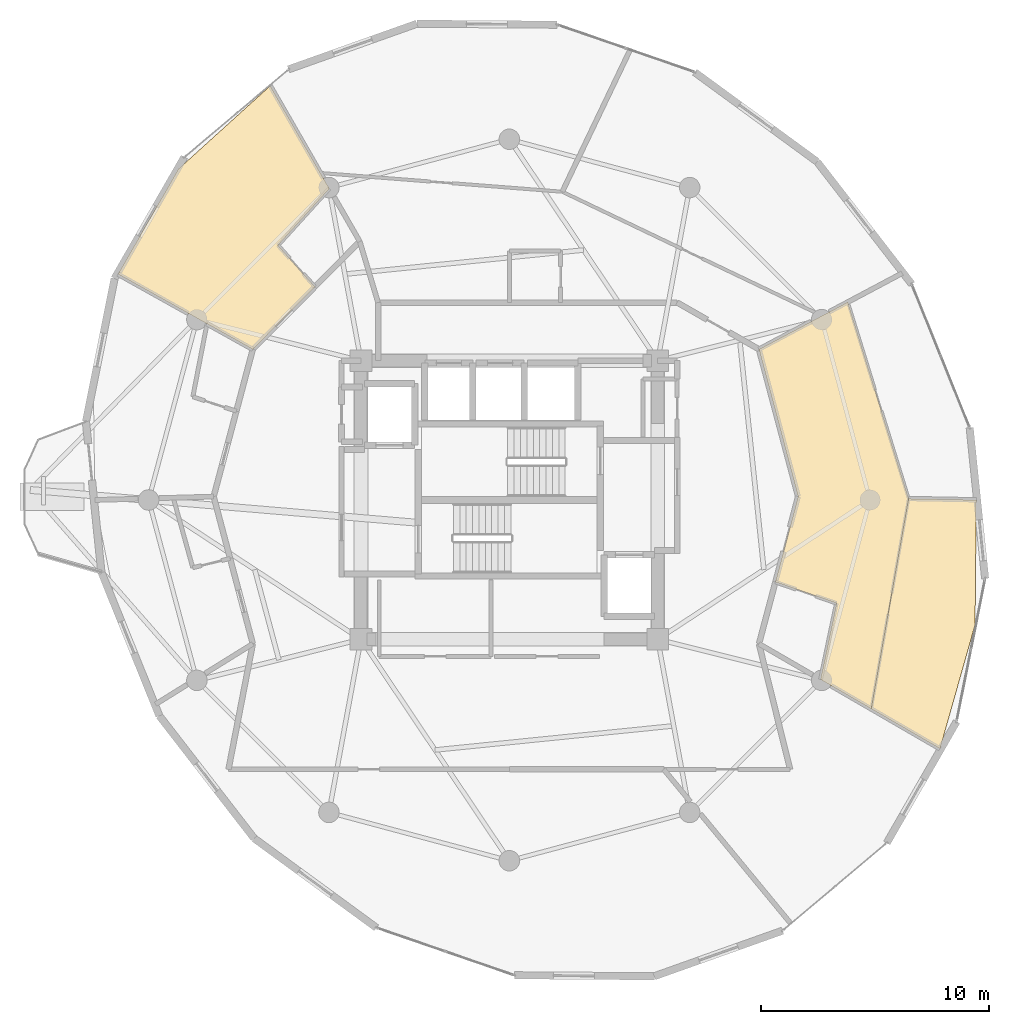
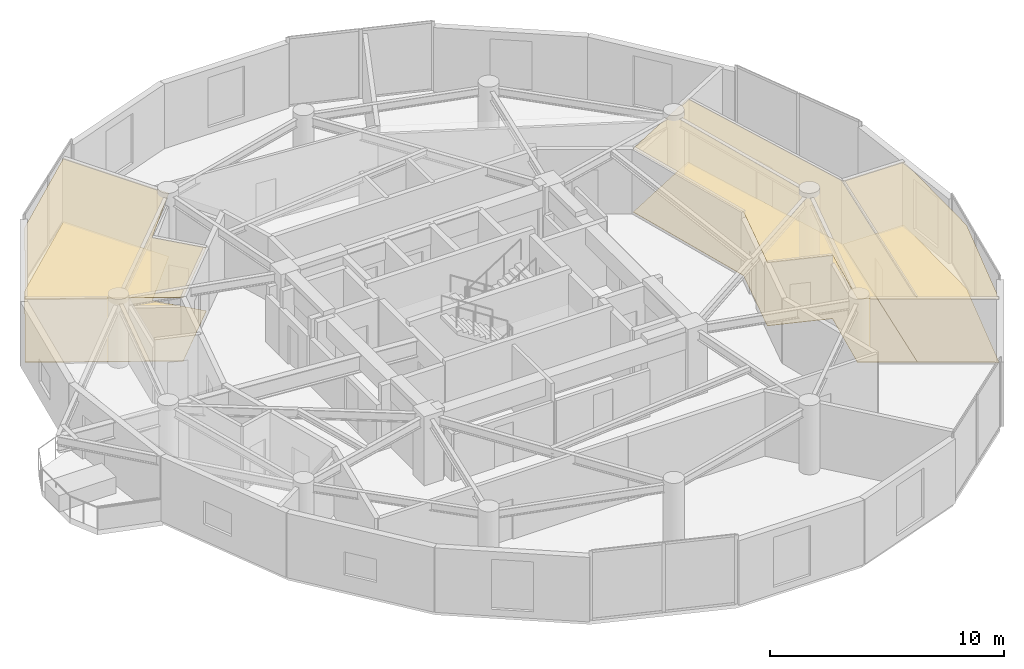
# One storey, part 17 of 17: 6 coverings.
"""IFC4 building model written with IfcOpenShell, lengths in metres."""

import ifcopenshell
import ifcopenshell.guid

model = None  # the IFC model being written
_history = None  # IfcOwnerHistory: only IFC2X3 demands one
_inside = {}  # id of a spatial element -> (the spatial element, [elements in it])
_under = {}  # id of a project, library or spatial element -> (it, [spatial elements below it])
_declared = {}  # id of a project -> (the project, [libraries it declares])
_typed = {}  # id of a type object -> (the type object, [elements of that type])
_made_of = {}  # id of a material, layer set ... -> (it, [elements and type objects made of it])


def new_model(schema):
    """Start an empty IFC model of exactly this schema.

    Asked for "IFC4X3", IfcOpenShell would pick the latest addendum, in which some entities
    have other attributes; the version numbers below select the first issue.
    IFC2X3 requires an IfcOwnerHistory on every rooted entity: one is made here for all.
    """
    global model, _history
    if schema == "IFC4X3":
        model = ifcopenshell.file(schema_version=(4, 3, 0, 0))
    else:
        model = ifcopenshell.file(schema=schema)
    _inside.clear()
    _under.clear()
    _declared.clear()
    _typed.clear()
    _made_of.clear()
    _history = None
    if model.schema == "IFC2X3":
        org = make("IfcOrganization", Name="unknown")
        user = make(
            "IfcPersonAndOrganization",
            ThePerson=make("IfcPerson", FamilyName="unknown"),
            TheOrganization=org,
        )
        app = make(
            "IfcApplication",
            ApplicationDeveloper=org,
            Version="unknown",
            ApplicationFullName="unknown",
            ApplicationIdentifier="unknown",
        )
        _history = make(
            "IfcOwnerHistory",
            OwningUser=user,
            OwningApplication=app,
            ChangeAction="ADDED",
            CreationDate=0,
        )
    return model


def make(cls, **values):
    """One entity of the class cls with the attributes given. An attribute that is None is left unset."""
    return model.create_entity(
        cls, **{name: value for name, value in values.items() if value is not None}
    )


def rooted(cls, **values):
    """An entity with a GlobalId (a new one), such as an element, a storey or a relation."""
    return make(cls, GlobalId=ifcopenshell.guid.new(), OwnerHistory=_history, **values)


def si_unit(unit_type, name, prefix=None):
    """IfcSIUnit, for example si_unit("LENGTHUNIT", "METRE", prefix="MILLI")."""
    return make("IfcSIUnit", UnitType=unit_type, Prefix=prefix, Name=name)


def assignment(units):
    """IfcUnitAssignment: the units of a project."""
    return None if units is None else make("IfcUnitAssignment", Units=units)


def point(xyz):
    """IfcCartesianPoint."""
    return None if xyz is None else make("IfcCartesianPoint", Coordinates=xyz)


def direction(xyz):
    """IfcDirection."""
    return None if xyz is None else make("IfcDirection", DirectionRatios=xyz)


def frame(location, z_axis=None, x_axis=None):
    """IfcAxis2Placement3D, a coordinate frame: its origin and axes. An axis left out is left unset."""
    return make(
        "IfcAxis2Placement3D",
        Location=point(location),
        Axis=direction(z_axis),
        RefDirection=direction(x_axis),
    )


def origin():
    """The frame at (0, 0, 0) with its axes left unset."""
    return frame((0.0, 0.0, 0.0))


def place(relative_to, where):
    """IfcLocalPlacement: puts the frame where relative to a parent placement (None: the world)."""
    return make(
        "IfcLocalPlacement", PlacementRelTo=relative_to, RelativePlacement=where
    )


def context(
    kind, dimensions, precision=None, world=None, true_north=None, identifier=None
):
    """IfcGeometricRepresentationContext, for example the 3D "Model" context."""
    return make(
        "IfcGeometricRepresentationContext",
        ContextIdentifier=identifier,
        ContextType=kind,
        CoordinateSpaceDimension=dimensions,
        Precision=precision,
        WorldCoordinateSystem=world,
        TrueNorth=true_north,
    )


def subcontext(parent, identifier, kind, view, scale=None):
    """IfcGeometricRepresentationSubContext, for example "Body" below "Model"."""
    return make(
        "IfcGeometricRepresentationSubContext",
        ContextIdentifier=identifier,
        ContextType=kind,
        ParentContext=parent,
        TargetScale=scale,
        TargetView=view,
    )


def project(units=None, contexts=None):
    """IfcProject with its units and contexts."""
    return rooted(
        "IfcProject",
        Name="project",
        RepresentationContexts=contexts,
        UnitsInContext=assignment(units),
    )


def spatial(cls, under=None, at=None, **own):
    """A site, building, storey or space (cls), placed at a placement, below another one or the project."""
    s = rooted(cls, ObjectPlacement=at, **own)
    if under is not None:
        _under.setdefault(under.id(), (under, []))[1].append(s)
    return s


def polyline(points):
    """IfcPolyline through the points."""
    return make("IfcPolyline", Points=[point(p) for p in points])


def outline(outer, holes=None, kind="AREA"):
    """IfcArbitraryClosedProfileDef: a profile drawn as a closed curve; with holes, ...WithVoids."""
    if holes is None:
        return make("IfcArbitraryClosedProfileDef", ProfileType=kind, OuterCurve=outer)
    return make(
        "IfcArbitraryProfileDefWithVoids",
        ProfileType=kind,
        OuterCurve=outer,
        InnerCurves=holes,
    )


def extrude(swept, where, along, depth):
    """IfcExtrudedAreaSolid: the profile swept, set in the frame where, extruded along a direction by depth."""
    return make(
        "IfcExtrudedAreaSolid",
        SweptArea=swept,
        Position=where,
        ExtrudedDirection=direction(along),
        Depth=depth,
    )


def shape(context_of_items, identifier, shape_type, items):
    """IfcShapeRepresentation: the items that make up one representation, for example the "Body"."""
    return make(
        "IfcShapeRepresentation",
        ContextOfItems=context_of_items,
        RepresentationIdentifier=identifier,
        RepresentationType=shape_type,
        Items=items,
    )


def material(Name=None, Category=None):
    """IfcMaterial."""
    return make("IfcMaterial", Name=Name, Category=Category)


def layer(
    of_material, thickness, ventilated=None, Name=None, Category=None, Priority=None
):
    """IfcMaterialLayer: one layer of a wall or slab, of a material (None: an air gap)."""
    return make(
        "IfcMaterialLayer",
        Material=of_material,
        LayerThickness=thickness,
        IsVentilated=ventilated,
        Name=Name,
        Category=Category,
        Priority=Priority,
    )


def layer_set(layers, Name=None):
    """IfcMaterialLayerSet."""
    return make("IfcMaterialLayerSet", MaterialLayers=layers, LayerSetName=Name)


def made_of(thing, what):
    """Note that an element or type object is made of a material, layer set ...; save() writes the relation."""
    if what is not None:
        _made_of.setdefault(what.id(), (what, []))[1].append(thing)
    return thing


def type_object(cls, material=None, **own):
    """A type object (cls), such as IfcWallType, which elements share."""
    return made_of(rooted(cls, **own), material)


def element(
    cls,
    number,
    at=None,
    inside=None,
    cuts=None,
    type_object=None,
    material=None,
    context=None,
    identifier="Body",
    shape_type=None,
    held_by="IfcProductDefinitionShape",
    body=None,
    shapes=None,
    **own,
):
    """One element of the class cls, such as IfcWall. Its Tag is "e" and its number.

    at: its placement. inside: the storey or other place that contains it. cuts: it is an
    opening in that element (IfcRelVoidsElement). A single representation is given by context,
    identifier, shape_type and body (its items); several are given by shapes. held_by: the class
    of the entity that holds the representations. save() writes the other relations.
    """
    e = rooted(cls, Tag="e%d" % number, ObjectPlacement=at, **own)
    if body is not None:
        shapes = [shape(context, identifier, shape_type, body)]
    if shapes is not None:
        e.Representation = make(held_by, Representations=shapes)
    if inside is not None:
        _inside.setdefault(inside.id(), (inside, []))[1].append(e)
    if cuts is not None:
        rooted(
            "IfcRelVoidsElement", RelatingBuildingElement=cuts, RelatedOpeningElement=e
        )
    if type_object is not None:
        _typed.setdefault(type_object.id(), (type_object, []))[1].append(e)
    return made_of(e, material)


def aggregate(whole, parts):
    """IfcRelAggregates: a whole, such as a stair, and the parts it consists of."""
    return rooted("IfcRelAggregates", RelatingObject=whole, RelatedObjects=parts)


def save(model, path):
    """Write the relations noted so far, then the file.

    IfcRelAggregates (storeys below a building ...), IfcRelContainedInSpatialStructure (elements
    in a storey), IfcRelDefinesByType, IfcRelAssociatesMaterial and IfcRelDeclares: one each for
    every whole, place, type object, material and project.
    """
    for whole, parts in _under.values():
        aggregate(whole, parts)
    for where, things in _inside.values():
        rooted(
            "IfcRelContainedInSpatialStructure",
            RelatedElements=things,
            RelatingStructure=where,
        )
    for kind, things in _typed.values():
        rooted("IfcRelDefinesByType", RelatedObjects=things, RelatingType=kind)
    for what, things in _made_of.values():
        rooted("IfcRelAssociatesMaterial", RelatedObjects=things, RelatingMaterial=what)
    for by, libraries in _declared.values():
        rooted("IfcRelDeclares", RelatingContext=by, RelatedDefinitions=libraries)
    model.write(path)


model = new_model("IFC4")

# Units and contexts
model_context = context("Model", 3, precision=1e-05, world=origin(), true_north=direction((0.0, 1.0)))
body_context = subcontext(model_context, "Body", "Model", "MODEL_VIEW")
ifc_project = project(units=[si_unit("LENGTHUNIT", "METRE"), si_unit("AREAUNIT", "SQUARE_METRE"), si_unit("VOLUMEUNIT", "CUBIC_METRE"), si_unit("PLANEANGLEUNIT", "RADIAN"), si_unit("MASSUNIT", "GRAM", prefix="KILO")], contexts=[model_context])

# Site, building, storey
site_placement = place(None, origin())
site = spatial("IfcSite", under=ifc_project, at=site_placement, CompositionType="ELEMENT")
building_placement = place(site_placement, origin())
building = spatial("IfcBuilding", under=site, at=building_placement, Name="Solvirekh Grand Hotel", CompositionType="ELEMENT")
storey_placement = place(building_placement, frame((0.0, 0.0, 191.199951171875)))
storey = spatial("IfcBuildingStorey", under=building, at=storey_placement, Name="L49", CompositionType="ELEMENT", Elevation=191.199951171875)

# Coverings
ifc_material_1 = material(Name="Acoustic Mineral Ceiling Tile")
ifc_layer_1 = layer(ifc_material_1, 0.02490234375)
ifc_layer_set_1 = layer_set([ifc_layer_1], Name="Acoustic Mineral Ceiling Tile")
covering_type_1 = type_object("IfcCoveringType", Name="Cov_Ceiling_Acoustic", PredefinedType="CEILING", material=ifc_layer_set_1)
covering_1_placement = place(storey_placement, frame((0.0, 0.0, 3.31005859375)))
element("IfcCovering", 1, at=covering_1_placement, inside=storey, type_object=covering_type_1, Name="L49 Deluxe Guestroom 5102 acoustic ceiling", PredefinedType="CEILING", context=body_context, shape_type="SweptSolid", body=[
    extrude(outline(polyline([(-10.134033203125, 11.154052734375), (-7.884033203125, 13.639892578125), (-10.472900390625, 18.139892578125), (-14.4951171875, 14.4951171875), (-17.137939453125, 9.89501953125), (-11.235107421875, 6.60009765625), (-8.51806640625, 9.339111328125), (-10.134033203125, 11.154052734375)])), origin(), (0.0, 0.0, 1.0), 0.01806640625),
])
covering_2_placement = place(storey_placement, frame((0.0, 0.0, 3.31005859375)))
element("IfcCovering", 2, at=covering_2_placement, inside=storey, type_object=covering_type_1, Name="L49 Executive Suite 5105 Living Room acoustic ceiling", PredefinedType="CEILING", context=body_context, shape_type="SweptSolid", body=[
    extrude(outline(polyline([(14.3330078125, -4.51806640625), (13.631103515625, -7.861083984375), (15.85205078125, -9.14697265625), (17.488037109375, 0.056884765625), (14.824951171875, 8.66796875), (10.93505859375, 6.60009765625), (12.64990234375, 0.14990234375), (11.655029296875, -3.591064453125), (14.3330078125, -4.51806640625)])), origin(), (0.0, 0.0, 1.0), 0.01806640625),
])
covering_3_placement = place(storey_placement, frame((0.0, 0.0, 3.31005859375)))
element("IfcCovering", 3, at=covering_3_placement, inside=storey, type_object=covering_type_1, Name="L49 Executive Suite 5105 Master Bedroom acoustic ceiling", PredefinedType="CEILING", context=body_context, shape_type="SweptSolid", body=[
    extrude(outline(polyline([(18.864990234375, -10.89208984375), (20.39990234375, -5.466064453125), (20.452880859375, 0.0), (17.488037109375, 0.056884765625), (15.85205078125, -9.14697265625), (18.864990234375, -10.89208984375)])), origin(), (0.0, 0.0, 1.0), 0.01806640625),
])
ifc_material_2 = material(Name="Porcelain Stoneware Flooring", Category="masonry")
ifc_layer_2 = layer(ifc_material_2, 0.030029296875)
ifc_layer_set_2 = layer_set([ifc_layer_2], Name="Porcelain Stoneware Flooring")
covering_type_2 = type_object("IfcCoveringType", Name="Cov_Floor_Stone", PredefinedType="FLOORING", material=ifc_layer_set_2)
covering_4_placement = place(storey_placement, origin())
element("IfcCovering", 4, at=covering_4_placement, inside=storey, type_object=covering_type_2, Name="L49 Deluxe Guestroom 5102 polished granite flooring", PredefinedType="FLOORING", context=body_context, shape_type="SweptSolid", body=[
    extrude(outline(polyline([(-10.134033203125, 11.154052734375), (-7.884033203125, 13.639892578125), (-10.472900390625, 18.139892578125), (-14.4951171875, 14.4951171875), (-17.137939453125, 9.89501953125), (-11.235107421875, 6.60009765625), (-8.51806640625, 9.339111328125), (-10.134033203125, 11.154052734375)])), origin(), (0.0, 0.0, 1.0), 0.02001953125),
])
covering_5_placement = place(storey_placement, origin())
element("IfcCovering", 5, at=covering_5_placement, inside=storey, type_object=covering_type_2, Name="L49 Executive Suite 5105 Living Room polished granite flooring", PredefinedType="FLOORING", context=body_context, shape_type="SweptSolid", body=[
    extrude(outline(polyline([(14.3330078125, -4.51806640625), (13.631103515625, -7.861083984375), (15.85205078125, -9.14697265625), (17.488037109375, 0.056884765625), (14.824951171875, 8.66796875), (10.93505859375, 6.60009765625), (12.64990234375, 0.14990234375), (11.655029296875, -3.591064453125), (14.3330078125, -4.51806640625)])), origin(), (0.0, 0.0, 1.0), 0.02001953125),
])
covering_6_placement = place(storey_placement, origin())
element("IfcCovering", 6, at=covering_6_placement, inside=storey, type_object=covering_type_2, Name="L49 Executive Suite 5105 Master Bedroom polished granite flooring", PredefinedType="FLOORING", context=body_context, shape_type="SweptSolid", body=[
    extrude(outline(polyline([(18.864990234375, -10.89208984375), (20.39990234375, -5.466064453125), (20.452880859375, 0.0), (17.488037109375, 0.056884765625), (15.85205078125, -9.14697265625), (18.864990234375, -10.89208984375)])), origin(), (0.0, 0.0, 1.0), 0.02001953125),
])

save(model, "model.ifc")
